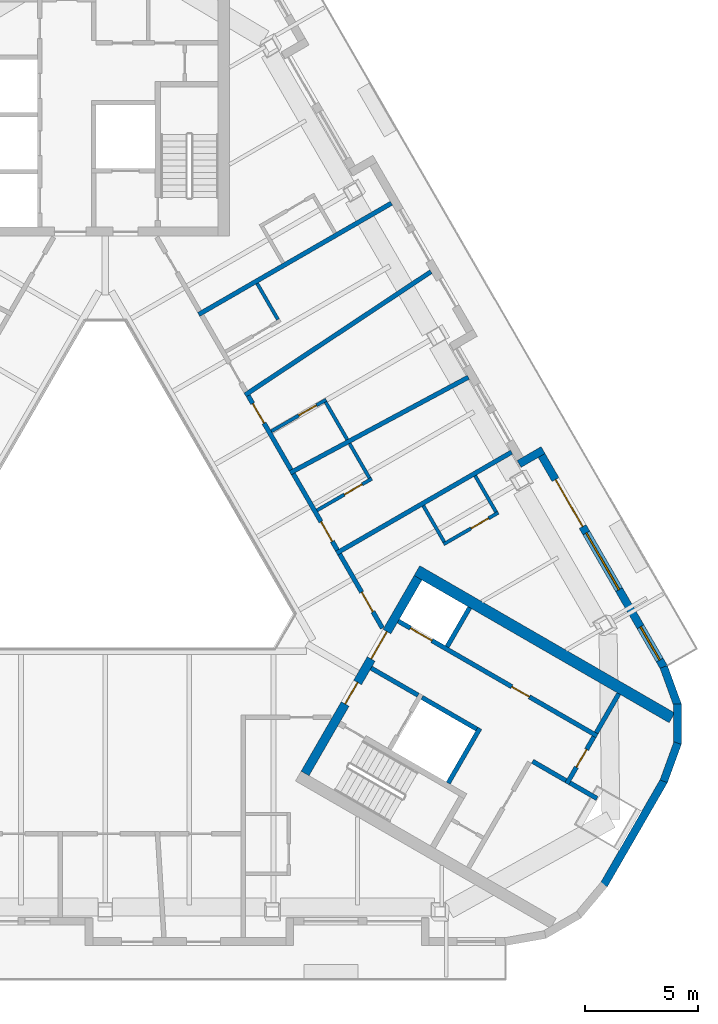
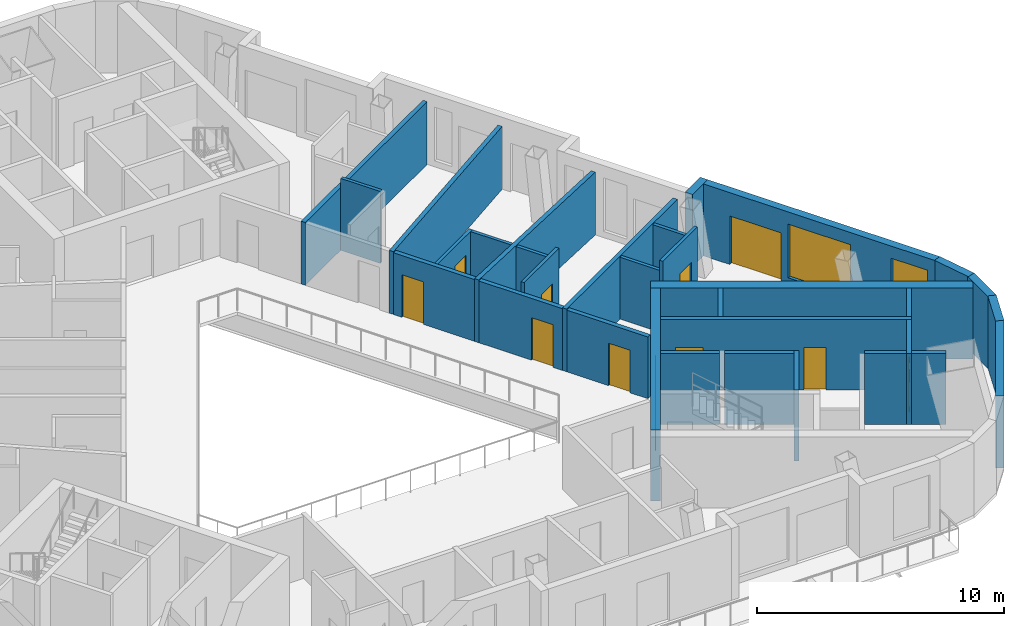
# One storey, part 6 of 13: 32 walls, 12 doors, 2 windows, 14 openings.
"""IFC4 building model written with IfcOpenShell, lengths in metres."""

from ifc_helpers import new_model, si_unit, direction, frame, frame_2d, origin, place, context, subcontext, project, spatial, rectangle, extrude, material, layer, layer_set, type_object, element, fill, save


model = new_model("IFC4")

# Units and contexts
model_context = context("Model", 3, precision=1e-05, world=origin(), true_north=direction((0.0, 1.0)))
body_context = subcontext(model_context, "Body", "Model", "MODEL_VIEW")
ifc_project = project(units=[si_unit("LENGTHUNIT", "METRE"), si_unit("AREAUNIT", "SQUARE_METRE"), si_unit("VOLUMEUNIT", "CUBIC_METRE"), si_unit("PLANEANGLEUNIT", "RADIAN"), si_unit("MASSUNIT", "GRAM", prefix="KILO")], contexts=[model_context])

# Site, building, storey
site_placement = place(None, origin())
site = spatial("IfcSite", under=ifc_project, at=site_placement, CompositionType="ELEMENT")
building_placement = place(site_placement, origin())
building = spatial("IfcBuilding", under=site, at=building_placement, Name="Apuvela Tower Hotel", CompositionType="ELEMENT")
storey_placement = place(building_placement, frame((0.0, 0.0, 276.300048828125)))
storey = spatial("IfcBuildingStorey", under=building, at=storey_placement, Name="L68", CompositionType="ELEMENT", Elevation=276.300048828125)

# Wall, openings, doors
ifc_material_1 = material(Name="Concrete C50/60", Category="concrete")
ifc_layer_1 = layer(ifc_material_1, 0.39990234375)
ifc_layer_set_1 = layer_set([ifc_layer_1], Name="COR-WALL-CORE-400")
wall_type_1 = type_object("IfcWallType", Name="COR-WALL-CORE-400", PredefinedType="SHEAR", material=ifc_layer_set_1)
wall_1_placement = place(storey_placement, frame((8.844970703125, -10.880126953125, 0.0), z_axis=(0.0, 0.0, 1.0), x_axis=(0.500004234368, 0.866022959057, 0.0)))
wall_1 = element("IfcWall", 1, at=wall_1_placement, inside=storey, type_object=wall_type_1, Name="Core wall SE", PredefinedType="SHEAR", context=body_context, shape_type="SweptSolid", body=[
    extrude(rectangle(XDim=10.0, YDim=0.39990234375, at=frame_2d((5.0, 0.0))), origin(), (0.0, 0.0, 1.0), 3.5),
])
opening_1_placement = place(wall_1_placement, frame((3.550048828125, 0.0, 0.0)))
opening_1 = element("IfcOpeningElement", 2, at=opening_1_placement, cuts=wall_1, Name="Opening E-FD", PredefinedType="OPENING", context=body_context, shape_type="SweptSolid", body=[
    extrude(rectangle(XDim=1.10009765625, YDim=2.10009765625, at=frame_2d((0.550048828125, 1.050048828125))), frame((0.0, 0.2099609375, 0.0), z_axis=(0.0, -1.0, 0.0), x_axis=(1.0, 0.0, 0.0)), (0.0, 0.0, 1.0), 0.419921875),
])
opening_2_placement = place(wall_1_placement, frame((5.85009765625, 0.0, 0.0)))
opening_2 = element("IfcOpeningElement", 3, at=opening_2_placement, cuts=wall_1, Name="Opening E-GD", PredefinedType="OPENING", context=body_context, shape_type="SweptSolid", body=[
    extrude(rectangle(XDim=1.39990234375, YDim=2.10009765625, at=frame_2d((0.699951171875, 1.050048828125))), frame((0.0, 0.2099609375, 0.0), z_axis=(0.0, -1.0, 0.0), x_axis=(1.0, 0.0, 0.0)), (0.0, 0.0, 1.0), 0.419921875),
])
ifc_material_2 = material(Name="Steel fire door, powder coated", Category="steel")
door_type_1 = type_object("IfcDoorType", Name="COR-FD-1100", OperationType="NOTDEFINED", PredefinedType="DOOR", material=ifc_material_2)
door_1_placement = place(opening_1_placement, frame((1.10009765625, 0.0, 0.0), z_axis=(0.0, 0.0, 1.0), x_axis=(-1.0, 0.0, 0.0)))
door_1 = element("IfcDoor", 4, at=door_1_placement, inside=storey, type_object=door_type_1, Name="Firefighting lobby door E-FD", OperationType="SINGLE_SWING_LEFT", OverallHeight=2.10009765625, OverallWidth=1.10009765625, PredefinedType="DOOR", context=body_context, shape_type="SweptSolid", body=[
    extrude(rectangle(XDim=1.10009765625, YDim=2.10009765625, at=frame_2d((0.550048828125, 1.050048828125))), frame((0.0, 0.02490234375, 0.0), z_axis=(0.0, -1.0, 0.0), x_axis=(1.0, 0.0, 0.0)), (0.0, 0.0, 1.0), 0.050048828125),
])
fill(opening_1, door_1)
ifc_material_3 = material(Name="Glazed steel fire door", Category="steel")
door_type_2 = type_object("IfcDoorType", Name="COR-GD-1400", OperationType="DOUBLE_DOOR_SINGLE_SWING", PredefinedType="DOOR", material=ifc_material_3)
door_2_placement = place(opening_2_placement, frame((1.39990234375, 0.0, 0.0), z_axis=(0.0, 0.0, 1.0), x_axis=(-1.0, 0.0, 0.0)))
door_2 = element("IfcDoor", 5, at=door_2_placement, inside=storey, type_object=door_type_2, Name="Lift lobby door E-GD", OperationType="DOUBLE_DOOR_SINGLE_SWING", OverallHeight=2.10009765625, OverallWidth=1.39990234375, PredefinedType="DOOR", context=body_context, shape_type="SweptSolid", body=[
    extrude(rectangle(XDim=1.39990234375, YDim=2.10009765625, at=frame_2d((0.699951171875, 1.050048828125))), frame((0.0, 0.02490234375, 0.0), z_axis=(0.0, -1.0, 0.0), x_axis=(1.0, 0.0, 0.0)), (0.0, 0.0, 1.0), 0.050048828125),
])
fill(opening_2, door_2)

# Walls
ifc_layer_2 = layer(ifc_material_1, 0.5)
ifc_layer_set_2 = layer_set([ifc_layer_2], Name="COR-WALL-CORE-500")
wall_type_2 = type_object("IfcWallType", Name="COR-WALL-CORE-500", PredefinedType="SHEAR", material=ifc_layer_set_2)
wall_2_placement = place(storey_placement, frame((13.796630859375, -1.9033203125, 0.0), z_axis=(0.0, 0.0, 1.0), x_axis=(0.866022106474, -0.500005711065, 0.0)))
element("IfcWall", 6, at=wall_2_placement, inside=storey, type_object=wall_type_2, Name="Core wall SE", PredefinedType="SHEAR", context=body_context, shape_type="SweptSolid", body=[
    extrude(rectangle(XDim=13.031494140625, YDim=0.5, at=frame_2d((6.515625, 0.0))), origin(), (0.0, 0.0, 1.0), 3.5),
])
ifc_layer_3 = layer(ifc_material_1, 0.199951171875)
ifc_layer_set_3 = layer_set([ifc_layer_3], Name="COR-WALL-SHAFT-200")
wall_type_3 = type_object("IfcWallType", Name="COR-WALL-SHAFT-200", PredefinedType="SHEAR", material=ifc_layer_set_3)
wall_3_placement = place(storey_placement, frame((15.181396484375, -11.305419921875, 0.0), z_axis=(0.0, 0.0, 1.0), x_axis=(0.49994636267, 0.866056369097, 0.0)))
element("IfcWall", 7, at=wall_3_placement, inside=storey, type_object=wall_type_3, Name="Shaft wall SE", PredefinedType="SHEAR", context=body_context, shape_type="SweptSolid", body=[
    extrude(rectangle(XDim=2.800048828125, YDim=0.199951171875, at=frame_2d((1.39990234375, 0.0))), origin(), (0.0, 0.0, 1.0), 3.5),
])
wall_4_placement = place(storey_placement, frame((11.76806640625, -6.217041015625, 0.0), z_axis=(0.0, 0.0, 1.0), x_axis=(0.866050077142, -0.499957262057, 0.0)))
element("IfcWall", 8, at=wall_4_placement, inside=storey, type_object=wall_type_3, Name="Shaft wall SE", PredefinedType="SHEAR", context=body_context, shape_type="SweptSolid", body=[
    extrude(rectangle(XDim=2.400146484375, YDim=0.199951171875, at=frame_2d((1.2001953125, 0.0))), origin(), (0.0, 0.0, 1.0), 3.5),
])
wall_5_placement = place(storey_placement, frame((14.019775390625, -7.51708984375, 0.0), z_axis=(0.0, 0.0, 1.0), x_axis=(0.866034573852, -0.49998411664, 0.0)))
element("IfcWall", 9, at=wall_5_placement, inside=storey, type_object=wall_type_3, Name="Shaft wall SE", PredefinedType="SHEAR", context=body_context, shape_type="SweptSolid", body=[
    extrude(rectangle(XDim=2.7998046875, YDim=0.199951171875, at=frame_2d((1.39990234375, 0.0))), origin(), (0.0, 0.0, 1.0), 3.5),
])

# Wall, openings, doors
wall_6_placement = place(storey_placement, frame((12.968017578125, -4.138427734375, 0.0), z_axis=(0.0, 0.0, 1.0), x_axis=(0.866028328073, -0.49999493495, 0.0)))
wall_6 = element("IfcWall", 10, at=wall_6_placement, inside=storey, type_object=wall_type_3, Name="Shaft wall SE", PredefinedType="SHEAR", context=body_context, shape_type="SweptSolid", body=[
    extrude(rectangle(XDim=10.16015625, YDim=0.199951171875, at=frame_2d((5.080078125, 0.0))), origin(), (0.0, 0.0, 1.0), 3.5),
])
opening_3_placement = place(wall_6_placement, frame((0.6201171875, 0.0, 0.0)))
opening_3 = element("IfcOpeningElement", 11, at=opening_3_placement, cuts=wall_6, Name="Opening E-LD-HR3", PredefinedType="OPENING", context=body_context, shape_type="SweptSolid", body=[
    extrude(rectangle(XDim=1.10009765625, YDim=2.10009765625, at=frame_2d((0.550048828125, 1.050048828125))), frame((0.0, 0.10986328125, 0.0), z_axis=(0.0, -1.0, 0.0), x_axis=(1.0, 0.0, 0.0)), (0.0, 0.0, 1.0), 0.219970703125),
])
opening_4_placement = place(wall_6_placement, frame((5.800048828125, 0.0, 0.0)))
opening_4 = element("IfcOpeningElement", 12, at=opening_4_placement, cuts=wall_6, Name="Opening E-RE2", PredefinedType="OPENING", context=body_context, shape_type="SweptSolid", body=[
    extrude(rectangle(XDim=0.89990234375, YDim=2.10009765625, at=frame_2d((0.449951171875, 1.050048828125))), frame((0.0, 0.10986328125, 0.0), z_axis=(0.0, -1.0, 0.0), x_axis=(1.0, 0.0, 0.0)), (0.0, 0.0, 1.0), 0.219970703125),
])
door_type_3 = type_object("IfcDoorType", Name="COR-DR-900", OperationType="NOTDEFINED", PredefinedType="DOOR", material=ifc_material_2)
door_3_placement = place(opening_4_placement, origin())
door_3 = element("IfcDoor", 13, at=door_3_placement, inside=storey, type_object=door_type_3, Name="Store door E-RE2", OperationType="SINGLE_SWING_LEFT", OverallHeight=2.10009765625, OverallWidth=0.89990234375, PredefinedType="DOOR", context=body_context, shape_type="SweptSolid", body=[
    extrude(rectangle(XDim=0.89990234375, YDim=2.10009765625, at=frame_2d((0.449951171875, 1.050048828125))), frame((0.0, 0.02490234375, 0.0), z_axis=(0.0, -1.0, 0.0), x_axis=(1.0, 0.0, 0.0)), (0.0, 0.0, 1.0), 0.050048828125),
])
fill(opening_4, door_3)
ifc_material_4 = material(Name="Stainless steel lift landing door", Category="steel")
door_type_4 = type_object("IfcDoorType", Name="COR-LD-1100", OperationType="DOUBLE_DOOR_SLIDING", PredefinedType="DOOR", material=ifc_material_4)
door_4_placement = place(opening_3_placement, origin())
door_4 = element("IfcDoor", 14, at=door_4_placement, inside=storey, type_object=door_type_4, Name="Lift landing door E-LD-HR3", OperationType="DOUBLE_DOOR_SLIDING", OverallHeight=2.10009765625, OverallWidth=1.10009765625, PredefinedType="DOOR", context=body_context, shape_type="SweptSolid", body=[
    extrude(rectangle(XDim=1.10009765625, YDim=2.10009765625, at=frame_2d((0.550048828125, 1.050048828125))), frame((0.0, 0.02490234375, 0.0), z_axis=(0.0, -1.0, 0.0), x_axis=(1.0, 0.0, 0.0)), (0.0, 0.0, 1.0), 0.050048828125),
])
fill(opening_3, door_4)

# Wall, opening, door
wall_7_placement = place(storey_placement, frame((20.430419921875, -11.33349609375, 0.0), z_axis=(0.0, 0.0, 1.0), x_axis=(0.500001309137, 0.866024647952, 0.0)))
wall_7 = element("IfcWall", 15, at=wall_7_placement, inside=storey, type_object=wall_type_3, Name="Shaft wall SE", PredefinedType="SHEAR", context=body_context, shape_type="SweptSolid", body=[
    extrude(rectangle(XDim=2.39990234375, YDim=0.199951171875, at=frame_2d((1.199951171875, 0.0))), origin(), (0.0, 0.0, 1.0), 3.5),
])
opening_5_placement = place(wall_7_placement, frame((0.85009765625, 0.0, 0.0)))
opening_5 = element("IfcOpeningElement", 16, at=opening_5_placement, cuts=wall_7, Name="Opening E-REP", PredefinedType="OPENING", context=body_context, shape_type="SweptSolid", body=[
    extrude(rectangle(XDim=0.89990234375, YDim=2.10009765625, at=frame_2d((0.449951171875, 1.050048828125))), frame((0.0, 0.10986328125, 0.0), z_axis=(0.0, -1.0, 0.0), x_axis=(1.0, 0.0, 0.0)), (0.0, 0.0, 1.0), 0.219970703125),
])
door_5_placement = place(opening_5_placement, frame((0.89990234375, 0.0, 0.0), z_axis=(0.0, 0.0, 1.0), x_axis=(-1.0, 0.0, 0.0)))
door_5 = element("IfcDoor", 17, at=door_5_placement, inside=storey, type_object=door_type_3, Name="Store door E-REP", OperationType="SINGLE_SWING_RIGHT", OverallHeight=2.10009765625, OverallWidth=0.89990234375, PredefinedType="DOOR", context=body_context, shape_type="SweptSolid", body=[
    extrude(rectangle(XDim=0.89990234375, YDim=2.10009765625, at=frame_2d((0.449951171875, 1.050048828125))), frame((0.0, 0.02490234375, 0.0), z_axis=(0.0, -1.0, 0.0), x_axis=(1.0, 0.0, 0.0)), (0.0, 0.0, 1.0), 0.050048828125),
])
fill(opening_5, door_5)

# Walls
wall_8_placement = place(storey_placement, frame((18.912841796875, -10.342041015625, 0.0), z_axis=(0.0, 0.0, 1.0), x_axis=(0.866038183914, -0.499977863513, 0.0)))
element("IfcWall", 18, at=wall_8_placement, inside=storey, type_object=wall_type_3, Name="Shaft wall SE", PredefinedType="SHEAR", context=body_context, shape_type="SweptSolid", body=[
    extrude(rectangle(XDim=1.7099609375, YDim=0.199951171875, at=frame_2d((0.85498046875, 0.0))), origin(), (0.0, 0.0, 1.0), 3.5),
])
for number, where, z_axis, x_axis, name in (
    (19, (15.131103515625, -5.27197265625, 0.0), (0.0, 0.0, 1.0), (0.499972520799, 0.866041268327, 0.0), "Shaft wall SE"),
    (20, (21.73046875, -9.081787109375, 0.0), (0.0, 0.0, 1.0), (0.50002537861, 0.866010750942, 0.0), "Shaft wall SE"),
):
    element("IfcWall", number, at=place(storey_placement, frame(where, z_axis=z_axis, x_axis=x_axis)), inside=storey, type_object=wall_type_3, Name=name, PredefinedType="SHEAR", context=body_context, shape_type="SweptSolid", body=[
        extrude(rectangle(XDim=2.0, YDim=0.199951171875, at=frame_2d((1.0, 0.0))), origin(), (0.0, 0.0, 1.0), 3.5),
    ])
wall_9_placement = place(storey_placement, frame((20.56689453125, -11.297119140625, 0.0), z_axis=(0.0, 0.0, 1.0), x_axis=(0.866094443108, -0.499880401313, 0.0)))
element("IfcWall", 21, at=wall_9_placement, inside=storey, type_object=wall_type_3, Name="Shaft wall SE", PredefinedType="SHEAR", context=body_context, shape_type="SweptSolid", body=[
    extrude(rectangle(XDim=1.382568359375, YDim=0.199951171875, at=frame_2d((0.69140625, 0.0))), origin(), (0.0, 0.0, 1.0), 3.5),
])
ifc_material_5 = material(Name="Concrete C40/50, dark pigmented precast panel", Category="concrete")
ifc_layer_4 = layer(ifc_material_5, 0.35009765625)
ifc_layer_set_4 = layer_set([ifc_layer_4], Name="ENV-WALL-350")
wall_type_4 = type_object("IfcWallType", Name="ENV-WALL-350", PredefinedType="SOLIDWALL", material=ifc_layer_set_4)
wall_10_placement = place(storey_placement, frame((22.06494140625, -15.817138671875, 0.0), z_axis=(0.0, 0.0, 1.0), x_axis=(0.500025039717, 0.866010946615, 0.0)))
element("IfcWall", 22, at=wall_10_placement, inside=storey, type_object=wall_type_4, Name="External wall L68-29", PredefinedType="SOLIDWALL", context=body_context, shape_type="SweptSolid", body=[
    extrude(rectangle(XDim=5.331298828125, YDim=0.35009765625, at=frame_2d((2.66552734375, 0.0))), origin(), (0.0, 0.0, 1.0), 3.550048828125),
])
wall_11_placement = place(storey_placement, frame((24.7177734375, -11.22802734375, 0.0), z_axis=(0.0, 0.0, 1.0), x_axis=(0.34206975284, 0.939674562916, 0.0)))
element("IfcWall", 23, at=wall_11_placement, inside=storey, type_object=wall_type_4, Name="External wall L68-30", PredefinedType="SOLIDWALL", context=body_context, shape_type="SweptSolid", body=[
    extrude(rectangle(XDim=1.800048828125, YDim=0.35009765625, at=frame_2d((0.89990234375, 0.0))), origin(), (0.0, 0.0, 1.0), 3.550048828125),
])
wall_12_placement = place(storey_placement, frame((25.32275390625, -9.5966796875, 0.0), z_axis=(0.0, 0.0, 1.0), x_axis=(0.0, 1.0, 0.0)))
element("IfcWall", 24, at=wall_12_placement, inside=storey, type_object=wall_type_4, Name="External wall L68-31", PredefinedType="SOLIDWALL", context=body_context, shape_type="SweptSolid", body=[
    extrude(rectangle(XDim=1.7998046875, YDim=0.35009765625, at=frame_2d((0.89990234375, 0.0))), origin(), (0.0, 0.0, 1.0), 3.550048828125),
])
wall_13_placement = place(storey_placement, frame((25.33349609375, -7.856689453125, 0.0), z_axis=(0.0, 0.0, 1.0), x_axis=(-0.34206975284, 0.939674562916, 0.0)))
element("IfcWall", 25, at=wall_13_placement, inside=storey, type_object=wall_type_4, Name="External wall L68-32", PredefinedType="SOLIDWALL", context=body_context, shape_type="SweptSolid", body=[
    extrude(rectangle(XDim=1.800048828125, YDim=0.35009765625, at=frame_2d((0.89990234375, 0.0))), origin(), (0.0, 0.0, 1.0), 3.550048828125),
])

# Wall, openings, door, windows
wall_14_placement = place(storey_placement, frame((24.730712890625, -6.193115234375, 0.0), z_axis=(0.0, 0.0, 1.0), x_axis=(-0.500007749075, 0.866020929808, 0.0)))
wall_14 = element("IfcWall", 26, at=wall_14_placement, inside=storey, type_object=wall_type_4, Name="External wall L68-33", PredefinedType="SOLIDWALL", context=body_context, shape_type="SweptSolid", body=[
    extrude(rectangle(XDim=11.185302734375, YDim=0.35009765625, at=frame_2d((5.5927734375, 0.0))), origin(), (0.0, 0.0, 1.0), 3.550048828125),
])
opening_6_placement = place(wall_14_placement, frame((0.380859375, 0.0, 0.300048828125)))
opening_6 = element("IfcOpeningElement", 27, at=opening_6_placement, cuts=wall_14, Name="Opening WN17", PredefinedType="OPENING", context=body_context, shape_type="SweptSolid", body=[
    extrude(rectangle(XDim=1.699951171875, YDim=2.64990234375, at=frame_2d((0.85009765625, 1.324951171875))), frame((0.0, 0.18505859375, 0.0), z_axis=(0.0, -1.0, 0.0), x_axis=(1.0, 0.0, 0.0)), (0.0, 0.0, 1.0), 0.3701171875),
])
opening_7_placement = place(wall_14_placement, frame((7.205078125, 0.0, 0.0)))
opening_7 = element("IfcOpeningElement", 28, at=opening_7_placement, cuts=wall_14, Name="Opening BD24", PredefinedType="OPENING", context=body_context, shape_type="SweptSolid", body=[
    extrude(rectangle(XDim=2.39990234375, YDim=2.39990234375, at=frame_2d((1.199951171875, 1.199951171875))), frame((0.0, 0.18505859375, 0.0), z_axis=(0.0, -1.0, 0.0), x_axis=(1.0, 0.0, 0.0)), (0.0, 0.0, 1.0), 0.3701171875),
])
opening_8_placement = place(wall_14_placement, frame((3.97900390625, 0.0, 0.300048828125)))
opening_8 = element("IfcOpeningElement", 29, at=opening_8_placement, cuts=wall_14, Name="Opening WN29", PredefinedType="OPENING", context=body_context, shape_type="SweptSolid", body=[
    extrude(rectangle(XDim=2.89990234375, YDim=2.64990234375, at=frame_2d((1.449951171875, 1.324951171875))), frame((0.0, 0.18505859375, 0.0), z_axis=(0.0, -1.0, 0.0), x_axis=(1.0, 0.0, 0.0)), (0.0, 0.0, 1.0), 0.3701171875),
])
ifc_material_6 = material(Name="Aluminium 6063-T6, dark bronze anodised frame with dark tinted laminated glass", Category="aluminium")
door_type_5 = type_object("IfcDoorType", Name="ENV-DOOR-BALCONY-2400x2400", OperationType="SLIDING_TO_LEFT", PredefinedType="DOOR", material=ifc_material_6)
door_6_placement = place(opening_7_placement, frame((2.39990234375, 0.0, 0.0), z_axis=(0.0, 0.0, 1.0), x_axis=(-1.0, 0.0, 0.0)))
door_6 = element("IfcDoor", 30, at=door_6_placement, inside=storey, type_object=door_type_5, Name="Balcony door BD24", OperationType="SLIDING_TO_LEFT", OverallHeight=2.39990234375, OverallWidth=2.39990234375, PredefinedType="DOOR", context=body_context, shape_type="SweptSolid", body=[
    extrude(rectangle(XDim=2.39990234375, YDim=2.39990234375, at=frame_2d((1.199951171875, 1.199951171875))), frame((0.0, 0.02490234375, 0.0), z_axis=(0.0, -1.0, 0.0), x_axis=(1.0, 0.0, 0.0)), (0.0, 0.0, 1.0), 0.050048828125),
])
fill(opening_7, door_6)
ifc_material_7 = material(Name="Glass, dark tinted laminated insulated glazing unit", Category="glass")
window_type_1 = type_object("IfcWindowType", Name="ENV-WIN-1700x2650", PartitioningType="SINGLE_PANEL", PredefinedType="WINDOW", material=ifc_material_7)
window_1_placement = place(opening_6_placement, origin())
window_1 = element("IfcWindow", 31, at=window_1_placement, inside=storey, type_object=window_type_1, Name="Window WN17", OverallHeight=2.64990234375, OverallWidth=1.699951171875, PartitioningType="SINGLE_PANEL", PredefinedType="WINDOW", context=body_context, shape_type="SweptSolid", body=[
    extrude(rectangle(XDim=1.699951171875, YDim=2.64990234375, at=frame_2d((0.85009765625, 1.324951171875))), frame((0.0, 0.030029296875, 0.0), z_axis=(0.0, -1.0, 0.0), x_axis=(1.0, 0.0, 0.0)), (0.0, 0.0, 1.0), 0.06005859375),
])
fill(opening_6, window_1)
window_type_2 = type_object("IfcWindowType", Name="ENV-WIN-2900x2650", PartitioningType="SINGLE_PANEL", PredefinedType="WINDOW", material=ifc_material_7)
window_2_placement = place(opening_8_placement, origin())
window_2 = element("IfcWindow", 32, at=window_2_placement, inside=storey, type_object=window_type_2, Name="Window WN29", OverallHeight=2.64990234375, OverallWidth=2.89990234375, PartitioningType="SINGLE_PANEL", PredefinedType="WINDOW", context=body_context, shape_type="SweptSolid", body=[
    extrude(rectangle(XDim=2.89990234375, YDim=2.64990234375, at=frame_2d((1.449951171875, 1.324951171875))), frame((0.0, 0.030029296875, 0.0), z_axis=(0.0, -1.0, 0.0), x_axis=(1.0, 0.0, 0.0)), (0.0, 0.0, 1.0), 0.06005859375),
])
fill(opening_8, window_2)

# Walls
wall_15_placement = place(storey_placement, frame((19.377197265625, 3.429443359375, 0.0), z_axis=(0.0, 0.0, 1.0), x_axis=(-0.866092288191, -0.499884134912, 0.0)))
element("IfcWall", 33, at=wall_15_placement, inside=storey, type_object=wall_type_4, Name="External wall L68-34", PredefinedType="SOLIDWALL", context=body_context, shape_type="SweptSolid", body=[
    extrude(rectangle(XDim=1.219970703125, YDim=0.35009765625, at=frame_2d((0.60986328125, 0.0))), origin(), (0.0, 0.0, 1.0), 3.550048828125),
])
ifc_material_8 = material(Name="Gypsum board partition on twin steel stud", Category="steel")
ifc_layer_5 = layer(ifc_material_8, 0.199951171875)
ifc_layer_set_5 = layer_set([ifc_layer_5], Name="GST-PW1")
wall_type_5 = type_object("IfcWallType", Name="GST-PW1", PredefinedType="PARTITIONING", material=ifc_layer_set_5)
wall_16_placement = place(storey_placement, frame((17.9853515625, 3.340087890625, 0.0), z_axis=(0.0, 0.0, 1.0), x_axis=(-0.866026066645, -0.499998851889, 0.0)))
element("IfcWall", 34, at=wall_16_placement, inside=storey, type_object=wall_type_5, Name="L68 partition 05", PredefinedType="PARTITIONING", context=body_context, shape_type="SweptSolid", body=[
    extrude(rectangle(XDim=8.94580078125, YDim=0.199951171875, at=frame_2d((4.472900390625, 0.0))), origin(), (0.0, 0.0, 1.0), 3.099853515625),
])
wall_17_placement = place(storey_placement, frame((16.0712890625, 6.6552734375, 0.0), z_axis=(0.0, 0.0, 1.0), x_axis=(-0.881152506706, -0.472832168877, 0.0)))
element("IfcWall", 35, at=wall_17_placement, inside=storey, type_object=wall_type_5, Name="L68 partition 06", PredefinedType="PARTITIONING", context=body_context, shape_type="SweptSolid", body=[
    extrude(rectangle(XDim=8.9501953125, YDim=0.199951171875, at=frame_2d((4.47509765625, 0.0))), origin(), (0.0, 0.0, 1.0), 3.099853515625),
])
wall_18_placement = place(storey_placement, frame((14.414794921875, 11.32470703125, 0.0), z_axis=(0.0, 0.0, 1.0), x_axis=(-0.833315981996, -0.552796955626, 0.0)))
element("IfcWall", 36, at=wall_18_placement, inside=storey, type_object=wall_type_5, Name="L68 partition 07", PredefinedType="PARTITIONING", context=body_context, shape_type="SweptSolid", body=[
    extrude(rectangle(XDim=9.864990234375, YDim=0.199951171875, at=frame_2d((4.9326171875, 0.0))), origin(), (0.0, 0.0, 1.0), 3.099853515625),
])
wall_19_placement = place(storey_placement, frame((12.664794921875, 14.355712890625, 0.0), z_axis=(0.0, 0.0, 1.0), x_axis=(-0.86603115344, -0.499990041172, 0.0)))
element("IfcWall", 37, at=wall_19_placement, inside=storey, type_object=wall_type_5, Name="L68 partition 08", PredefinedType="PARTITIONING", context=body_context, shape_type="SweptSolid", body=[
    extrude(rectangle(XDim=9.845947265625, YDim=0.199951171875, at=frame_2d((4.9228515625, 0.0))), origin(), (0.0, 0.0, 1.0), 3.099853515625),
])

# Wall, opening, door
ifc_material_9 = material(Name="Gypsum board corridor wall on twin steel stud, acoustic", Category="steel")
ifc_layer_6 = layer(ifc_material_9, 0.199951171875)
ifc_layer_set_6 = layer_set([ifc_layer_6], Name="GST-PW2")
wall_type_6 = type_object("IfcWallType", Name="GST-PW2", PredefinedType="PARTITIONING", material=ifc_layer_set_6)
wall_20_placement = place(storey_placement, frame((10.37451171875, -1.16943359375, 0.0), z_axis=(0.0, 0.0, 1.0), x_axis=(0.500055316652, -0.865993464345, 0.0)))
wall_20 = element("IfcWall", 38, at=wall_20_placement, inside=storey, type_object=wall_type_6, Name="L68 partition 24", PredefinedType="PARTITIONING", context=body_context, shape_type="SweptSolid", body=[
    extrude(rectangle(XDim=3.7880859375, YDim=0.199951171875, at=frame_2d((1.89404296875, 0.0))), origin(), (0.0, 0.0, 1.0), 3.050048828125),
])
opening_9_placement = place(wall_20_placement, frame((1.949951171875, 0.0, 0.0)))
opening_9 = element("IfcOpeningElement", 39, at=opening_9_placement, cuts=wall_20, Name="Opening GD27-09", PredefinedType="OPENING", context=body_context, shape_type="SweptSolid", body=[
    extrude(rectangle(XDim=1.0, YDim=2.10009765625, at=frame_2d((0.5, 1.050048828125))), frame((0.0, 0.10986328125, 0.0), z_axis=(0.0, -1.0, 0.0), x_axis=(1.0, 0.0, 0.0)), (0.0, 0.0, 1.0), 0.219970703125),
])
ifc_material_10 = material(Name="Timber door leaf in steel frame", Category="steel")
door_type_6 = type_object("IfcDoorType", Name="GST-D1", OperationType="NOTDEFINED", PredefinedType="DOOR", material=ifc_material_10)
door_7_placement = place(opening_9_placement, origin())
door_7 = element("IfcDoor", 40, at=door_7_placement, inside=storey, type_object=door_type_6, Name="Door L68-09", OperationType="SINGLE_SWING_LEFT", OverallHeight=2.10009765625, OverallWidth=1.0, PredefinedType="DOOR", context=body_context, shape_type="SweptSolid", body=[
    extrude(rectangle(XDim=1.0, YDim=2.10009765625, at=frame_2d((0.5, 1.050048828125))), frame((0.0, 0.02490234375, 0.0), z_axis=(0.0, -1.0, 0.0), x_axis=(1.0, 0.0, 0.0)), (0.0, 0.0, 1.0), 0.050048828125),
])
fill(opening_9, door_7)

wall_21_placement = place(storey_placement, frame((8.322998046875, 2.384033203125, 0.0), z_axis=(0.0, 0.0, 1.0), x_axis=(0.500027468252, -0.866009544401, 0.0)))
wall_21 = element("IfcWall", 41, at=wall_21_placement, inside=storey, type_object=wall_type_6, Name="L68 partition 28", PredefinedType="PARTITIONING", context=body_context, shape_type="SweptSolid", body=[
    extrude(rectangle(XDim=3.903076171875, YDim=0.199951171875, at=frame_2d((1.95166015625, 0.0))), origin(), (0.0, 0.0, 1.0), 3.050048828125),
])
opening_10_placement = place(wall_21_placement, frame((2.453125, 0.0, 0.0)))
opening_10 = element("IfcOpeningElement", 42, at=opening_10_placement, cuts=wall_21, Name="Opening GD27-11", PredefinedType="OPENING", context=body_context, shape_type="SweptSolid", body=[
    extrude(rectangle(XDim=1.0, YDim=2.10009765625, at=frame_2d((0.5, 1.050048828125))), frame((0.0, 0.10986328125, 0.0), z_axis=(0.0, -1.0, 0.0), x_axis=(1.0, 0.0, 0.0)), (0.0, 0.0, 1.0), 0.219970703125),
])
door_8_placement = place(opening_10_placement, origin())
door_8 = element("IfcDoor", 43, at=door_8_placement, inside=storey, type_object=door_type_6, Name="Door L68-11", OperationType="SINGLE_SWING_RIGHT", OverallHeight=2.10009765625, OverallWidth=1.0, PredefinedType="DOOR", context=body_context, shape_type="SweptSolid", body=[
    extrude(rectangle(XDim=1.0, YDim=2.10009765625, at=frame_2d((0.5, 1.050048828125))), frame((0.0, 0.02490234375, 0.0), z_axis=(0.0, -1.0, 0.0), x_axis=(1.0, 0.0, 0.0)), (0.0, 0.0, 1.0), 0.050048828125),
])
fill(opening_10, door_8)

wall_22_placement = place(storey_placement, frame((6.327880859375, 5.83984375, 0.0), z_axis=(0.0, 0.0, 1.0), x_axis=(0.49997708301, -0.86603863451, 0.0)))
wall_22 = element("IfcWall", 44, at=wall_22_placement, inside=storey, type_object=wall_type_6, Name="L68 partition 31", PredefinedType="PARTITIONING", context=body_context, shape_type="SweptSolid", body=[
    extrude(rectangle(XDim=3.790283203125, YDim=0.199951171875, at=frame_2d((1.89501953125, 0.0))), origin(), (0.0, 0.0, 1.0), 3.050048828125),
])
opening_11_placement = place(wall_22_placement, frame((0.401611328125, 0.0, 0.0)))
opening_11 = element("IfcOpeningElement", 45, at=opening_11_placement, cuts=wall_22, Name="Opening GD27-13", PredefinedType="OPENING", context=body_context, shape_type="SweptSolid", body=[
    extrude(rectangle(XDim=1.0, YDim=2.10009765625, at=frame_2d((0.5, 1.050048828125))), frame((0.0, 0.10986328125, 0.0), z_axis=(0.0, -1.0, 0.0), x_axis=(1.0, 0.0, 0.0)), (0.0, 0.0, 1.0), 0.219970703125),
])
door_9_placement = place(opening_11_placement, origin())
door_9 = element("IfcDoor", 46, at=door_9_placement, inside=storey, type_object=door_type_6, Name="Door L68-13", OperationType="SINGLE_SWING_LEFT", OverallHeight=2.10009765625, OverallWidth=1.0, PredefinedType="DOOR", context=body_context, shape_type="SweptSolid", body=[
    extrude(rectangle(XDim=1.0, YDim=2.10009765625, at=frame_2d((0.5, 1.050048828125))), frame((0.0, 0.02490234375, 0.0), z_axis=(0.0, -1.0, 0.0), x_axis=(1.0, 0.0, 0.0)), (0.0, 0.0, 1.0), 0.050048828125),
])
fill(opening_11, door_9)

ifc_material_11 = material(Name="Moisture-resistant gypsum board wet wall on steel stud", Category="steel")
ifc_layer_7 = layer(ifc_material_11, 0.14990234375)
ifc_layer_set_7 = layer_set([ifc_layer_7], Name="GST-PW3")
wall_type_7 = type_object("IfcWallType", Name="GST-PW3", PredefinedType="PARTITIONING", material=ifc_layer_set_7)
wall_23_placement = place(storey_placement, frame((14.974365234375, -0.736572265625, 0.0), z_axis=(0.0, 0.0, 1.0), x_axis=(0.866018616679, 0.500011755427, 0.0)))
wall_23 = element("IfcWall", 47, at=wall_23_placement, inside=storey, type_object=wall_type_7, Name="L68 partition 25", PredefinedType="PARTITIONING", context=body_context, shape_type="SweptSolid", body=[
    extrude(rectangle(XDim=2.80029296875, YDim=0.14990234375, at=frame_2d((1.400146484375, 0.0))), origin(), (0.0, 0.0, 1.0), 3.550048828125),
])
opening_12_placement = place(wall_23_placement, frame((1.39990234375, 0.0, 0.0)))
opening_12 = element("IfcOpeningElement", 48, at=opening_12_placement, cuts=wall_23, Name="Opening GD27-08", PredefinedType="OPENING", context=body_context, shape_type="SweptSolid", body=[
    extrude(rectangle(XDim=0.89990234375, YDim=2.10009765625, at=frame_2d((0.449951171875, 1.050048828125))), frame((0.0, 0.0849609375, 0.0), z_axis=(0.0, -1.0, 0.0), x_axis=(1.0, 0.0, 0.0)), (0.0, 0.0, 1.0), 0.169921875),
])
door_type_7 = type_object("IfcDoorType", Name="GST-D2", OperationType="NOTDEFINED", PredefinedType="DOOR", material=ifc_material_10)
door_10_placement = place(opening_12_placement, origin())
door_10 = element("IfcDoor", 49, at=door_10_placement, inside=storey, type_object=door_type_7, Name="Door L68-08", OperationType="SINGLE_SWING_RIGHT", OverallHeight=2.10009765625, OverallWidth=0.89990234375, PredefinedType="DOOR", context=body_context, shape_type="SweptSolid", body=[
    extrude(rectangle(XDim=0.89990234375, YDim=2.10009765625, at=frame_2d((0.449951171875, 1.050048828125))), frame((0.0, 0.02490234375, 0.0), z_axis=(0.0, -1.0, 0.0), x_axis=(1.0, 0.0, 0.0)), (0.0, 0.0, 1.0), 0.050048828125),
])
fill(opening_12, door_10)

# Walls
wall_24_placement = place(storey_placement, frame((17.296875, 0.69091796875, 0.0), z_axis=(0.0, 0.0, 1.0), x_axis=(-0.499985172903, 0.866033964044, 0.0)))
element("IfcWall", 50, at=wall_24_placement, inside=storey, type_object=wall_type_7, Name="L68 partition 26", PredefinedType="PARTITIONING", context=body_context, shape_type="SweptSolid", body=[
    extrude(rectangle(XDim=1.85009765625, YDim=0.14990234375, at=frame_2d((0.925048828125, 0.0))), origin(), (0.0, 0.0, 1.0), 3.050048828125),
])
wall_25_placement = place(storey_placement, frame((15.001953125, -0.634033203125, 0.0), z_axis=(0.0, 0.0, 1.0), x_axis=(-0.500042316284, 0.866000971088, 0.0)))
element("IfcWall", 51, at=wall_25_placement, inside=storey, type_object=wall_type_7, Name="L68 partition 27", PredefinedType="PARTITIONING", context=body_context, shape_type="SweptSolid", body=[
    extrude(rectangle(XDim=1.849853515625, YDim=0.14990234375, at=frame_2d((0.9248046875, 0.0))), origin(), (0.0, 0.0, 1.0), 3.050048828125),
])

# Wall, opening, door
wall_26_placement = place(storey_placement, frame((9.373779296875, 0.76416015625, 0.0), z_axis=(0.0, 0.0, 1.0), x_axis=(0.865996816683, 0.500049511043, 0.0)))
wall_26 = element("IfcWall", 52, at=wall_26_placement, inside=storey, type_object=wall_type_7, Name="L68 partition 29", PredefinedType="PARTITIONING", context=body_context, shape_type="SweptSolid", body=[
    extrude(rectangle(XDim=2.800048828125, YDim=0.14990234375, at=frame_2d((1.39990234375, 0.0))), origin(), (0.0, 0.0, 1.0), 3.550048828125),
])
opening_13_placement = place(wall_26_placement, frame((1.39990234375, 0.0, 0.0)))
opening_13 = element("IfcOpeningElement", 53, at=opening_13_placement, cuts=wall_26, Name="Opening GD27-10", PredefinedType="OPENING", context=body_context, shape_type="SweptSolid", body=[
    extrude(rectangle(XDim=0.89990234375, YDim=2.10009765625, at=frame_2d((0.449951171875, 1.050048828125))), frame((0.0, 0.0849609375, 0.0), z_axis=(0.0, -1.0, 0.0), x_axis=(1.0, 0.0, 0.0)), (0.0, 0.0, 1.0), 0.169921875),
])
door_11_placement = place(opening_13_placement, origin())
door_11 = element("IfcDoor", 54, at=door_11_placement, inside=storey, type_object=door_type_7, Name="Door L68-10", OperationType="SINGLE_SWING_RIGHT", OverallHeight=2.10009765625, OverallWidth=0.89990234375, PredefinedType="DOOR", context=body_context, shape_type="SweptSolid", body=[
    extrude(rectangle(XDim=0.89990234375, YDim=2.10009765625, at=frame_2d((0.449951171875, 1.050048828125))), frame((0.0, 0.02490234375, 0.0), z_axis=(0.0, -1.0, 0.0), x_axis=(1.0, 0.0, 0.0)), (0.0, 0.0, 1.0), 0.050048828125),
])
fill(opening_13, door_11)

# Wall
wall_27_placement = place(storey_placement, frame((11.6962890625, 2.191650390625, 0.0), z_axis=(0.0, 0.0, 1.0), x_axis=(-0.50006561292, 0.865987518834, 0.0)))
element("IfcWall", 55, at=wall_27_placement, inside=storey, type_object=wall_type_7, Name="L68 partition 30", PredefinedType="PARTITIONING", context=body_context, shape_type="SweptSolid", body=[
    extrude(rectangle(XDim=1.765380859375, YDim=0.14990234375, at=frame_2d((0.8828125, 0.0))), origin(), (0.0, 0.0, 1.0), 3.050048828125),
])

# Wall, opening, door
wall_28_placement = place(storey_placement, frame((9.7783203125, 5.663330078125, 0.0), z_axis=(0.0, 0.0, 1.0), x_axis=(-0.866034573852, -0.49998411664, 0.0)))
wall_28 = element("IfcWall", 56, at=wall_28_placement, inside=storey, type_object=wall_type_7, Name="L68 partition 32", PredefinedType="PARTITIONING", context=body_context, shape_type="SweptSolid", body=[
    extrude(rectangle(XDim=2.7998046875, YDim=0.14990234375, at=frame_2d((1.39990234375, 0.0))), origin(), (0.0, 0.0, 1.0), 3.050048828125),
])
opening_14_placement = place(wall_28_placement, frame((0.5, 0.0, 0.0)))
opening_14 = element("IfcOpeningElement", 57, at=opening_14_placement, cuts=wall_28, Name="Opening GD27-12", PredefinedType="OPENING", context=body_context, shape_type="SweptSolid", body=[
    extrude(rectangle(XDim=0.89990234375, YDim=2.10009765625, at=frame_2d((0.449951171875, 1.050048828125))), frame((0.0, 0.0849609375, 0.0), z_axis=(0.0, -1.0, 0.0), x_axis=(1.0, 0.0, 0.0)), (0.0, 0.0, 1.0), 0.169921875),
])
door_12_placement = place(opening_14_placement, origin())
door_12 = element("IfcDoor", 58, at=door_12_placement, inside=storey, type_object=door_type_7, Name="Door L68-12", OperationType="SINGLE_SWING_LEFT", OverallHeight=2.10009765625, OverallWidth=0.89990234375, PredefinedType="DOOR", context=body_context, shape_type="SweptSolid", body=[
    extrude(rectangle(XDim=0.89990234375, YDim=2.10009765625, at=frame_2d((0.449951171875, 1.050048828125))), frame((0.0, 0.02490234375, 0.0), z_axis=(0.0, -1.0, 0.0), x_axis=(1.0, 0.0, 0.0)), (0.0, 0.0, 1.0), 0.050048828125),
])
fill(opening_14, door_12)

# Walls
wall_29_placement = place(storey_placement, frame((10.71337890625, 3.893798828125, 0.0), z_axis=(0.0, 0.0, 1.0), x_axis=(-0.499931040243, 0.866065214058, 0.0)))
element("IfcWall", 59, at=wall_29_placement, inside=storey, type_object=wall_type_7, Name="L68 partition 33", PredefinedType="PARTITIONING", context=body_context, shape_type="SweptSolid", body=[
    extrude(rectangle(XDim=1.925048828125, YDim=0.14990234375, at=frame_2d((0.96240234375, 0.0))), origin(), (0.0, 0.0, 1.0), 3.050048828125),
])
wall_30_placement = place(storey_placement, frame((7.64599609375, 9.20654296875, 0.0), z_axis=(0.0, 0.0, 1.0), x_axis=(-0.49994333299, 0.866058118026, 0.0)))
element("IfcWall", 60, at=wall_30_placement, inside=storey, type_object=wall_type_7, Name="L68 partition 36", PredefinedType="PARTITIONING", context=body_context, shape_type="SweptSolid", body=[
    extrude(rectangle(XDim=1.849853515625, YDim=0.14990234375, at=frame_2d((0.9248046875, 0.0))), origin(), (0.0, 0.0, 1.0), 3.550048828125),
])

save(model, "model.ifc")
